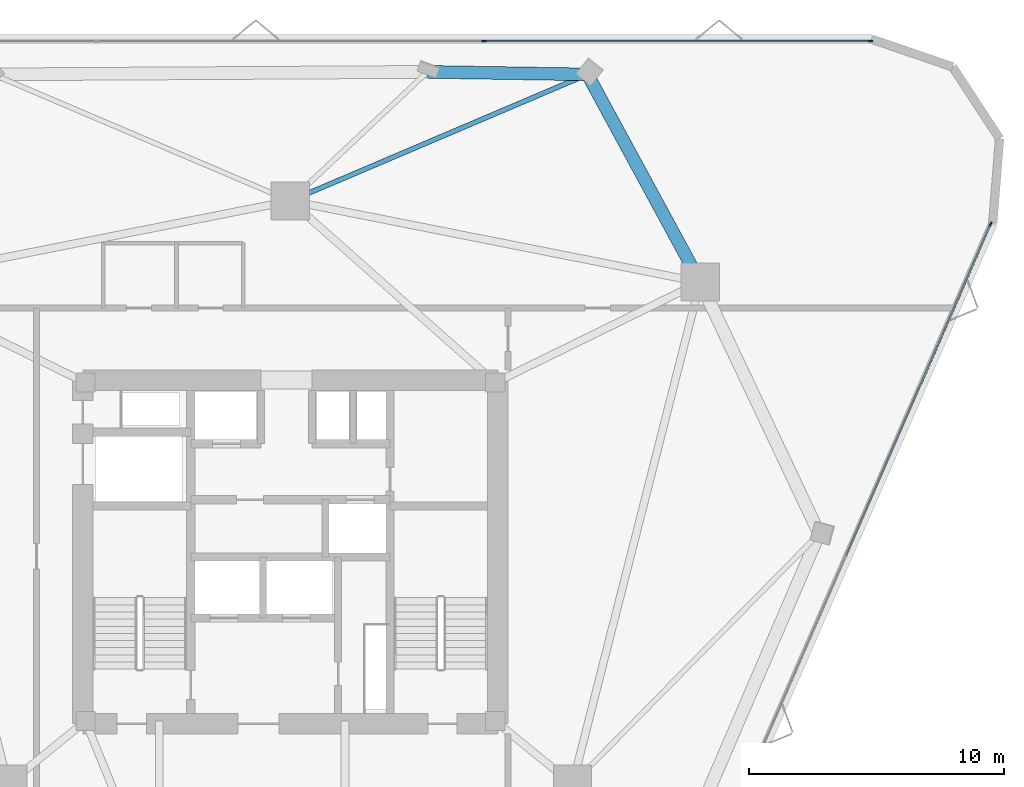
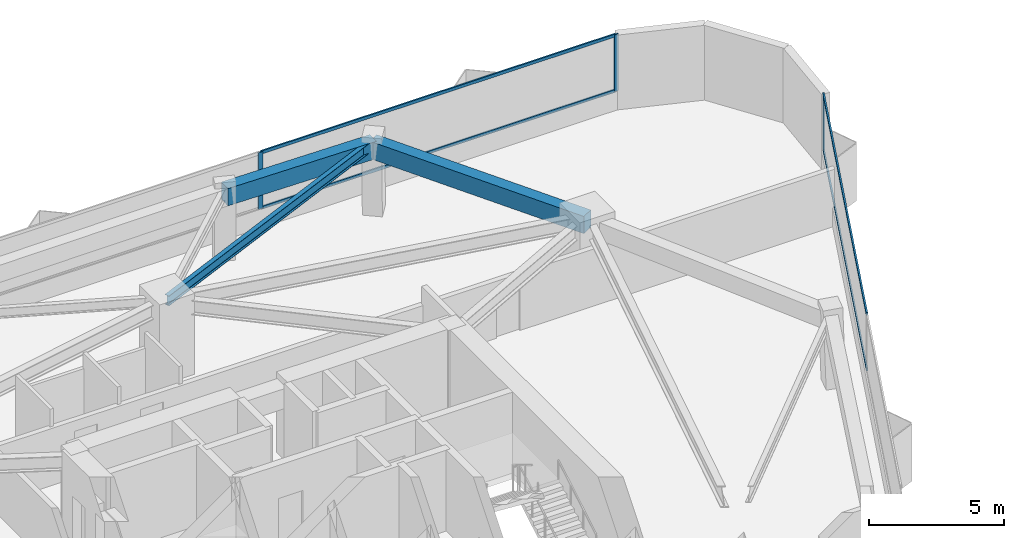
# One storey, part 7 of 11: 7 members, 3 beams, 2 elements without a shape of their own.
"""IFC4 building model written with IfcOpenShell, lengths in metres."""

import ifcopenshell
import ifcopenshell.guid

model = None  # the IFC model being written
_history = None  # IfcOwnerHistory: only IFC2X3 demands one
_inside = {}  # id of a spatial element -> (the spatial element, [elements in it])
_under = {}  # id of a project, library or spatial element -> (it, [spatial elements below it])
_declared = {}  # id of a project -> (the project, [libraries it declares])
_typed = {}  # id of a type object -> (the type object, [elements of that type])
_made_of = {}  # id of a material, layer set ... -> (it, [elements and type objects made of it])


def new_model(schema):
    """Start an empty IFC model of exactly this schema.

    Asked for "IFC4X3", IfcOpenShell would pick the latest addendum, in which some entities
    have other attributes; the version numbers below select the first issue.
    IFC2X3 requires an IfcOwnerHistory on every rooted entity: one is made here for all.
    """
    global model, _history
    if schema == "IFC4X3":
        model = ifcopenshell.file(schema_version=(4, 3, 0, 0))
    else:
        model = ifcopenshell.file(schema=schema)
    _inside.clear()
    _under.clear()
    _declared.clear()
    _typed.clear()
    _made_of.clear()
    _history = None
    if model.schema == "IFC2X3":
        org = make("IfcOrganization", Name="unknown")
        user = make(
            "IfcPersonAndOrganization",
            ThePerson=make("IfcPerson", FamilyName="unknown"),
            TheOrganization=org,
        )
        app = make(
            "IfcApplication",
            ApplicationDeveloper=org,
            Version="unknown",
            ApplicationFullName="unknown",
            ApplicationIdentifier="unknown",
        )
        _history = make(
            "IfcOwnerHistory",
            OwningUser=user,
            OwningApplication=app,
            ChangeAction="ADDED",
            CreationDate=0,
        )
    return model


def make(cls, **values):
    """One entity of the class cls with the attributes given. An attribute that is None is left unset."""
    return model.create_entity(
        cls, **{name: value for name, value in values.items() if value is not None}
    )


def rooted(cls, **values):
    """An entity with a GlobalId (a new one), such as an element, a storey or a relation."""
    return make(cls, GlobalId=ifcopenshell.guid.new(), OwnerHistory=_history, **values)


def si_unit(unit_type, name, prefix=None):
    """IfcSIUnit, for example si_unit("LENGTHUNIT", "METRE", prefix="MILLI")."""
    return make("IfcSIUnit", UnitType=unit_type, Prefix=prefix, Name=name)


def assignment(units):
    """IfcUnitAssignment: the units of a project."""
    return None if units is None else make("IfcUnitAssignment", Units=units)


def point(xyz):
    """IfcCartesianPoint."""
    return None if xyz is None else make("IfcCartesianPoint", Coordinates=xyz)


def direction(xyz):
    """IfcDirection."""
    return None if xyz is None else make("IfcDirection", DirectionRatios=xyz)


def frame(location, z_axis=None, x_axis=None):
    """IfcAxis2Placement3D, a coordinate frame: its origin and axes. An axis left out is left unset."""
    return make(
        "IfcAxis2Placement3D",
        Location=point(location),
        Axis=direction(z_axis),
        RefDirection=direction(x_axis),
    )


def frame_2d(location, x_axis=None):
    """IfcAxis2Placement2D, a coordinate frame in the plane: its origin and x axis."""
    return make(
        "IfcAxis2Placement2D", Location=point(location), RefDirection=direction(x_axis)
    )


def origin():
    """The frame at (0, 0, 0) with its axes left unset."""
    return frame((0.0, 0.0, 0.0))


def origin_2d():
    """The frame at (0, 0) in the plane with its x axis left unset."""
    return frame_2d((0.0, 0.0))


def place(relative_to, where):
    """IfcLocalPlacement: puts the frame where relative to a parent placement (None: the world)."""
    return make(
        "IfcLocalPlacement", PlacementRelTo=relative_to, RelativePlacement=where
    )


def context(
    kind, dimensions, precision=None, world=None, true_north=None, identifier=None
):
    """IfcGeometricRepresentationContext, for example the 3D "Model" context."""
    return make(
        "IfcGeometricRepresentationContext",
        ContextIdentifier=identifier,
        ContextType=kind,
        CoordinateSpaceDimension=dimensions,
        Precision=precision,
        WorldCoordinateSystem=world,
        TrueNorth=true_north,
    )


def subcontext(parent, identifier, kind, view, scale=None):
    """IfcGeometricRepresentationSubContext, for example "Body" below "Model"."""
    return make(
        "IfcGeometricRepresentationSubContext",
        ContextIdentifier=identifier,
        ContextType=kind,
        ParentContext=parent,
        TargetScale=scale,
        TargetView=view,
    )


def project(units=None, contexts=None):
    """IfcProject with its units and contexts."""
    return rooted(
        "IfcProject",
        Name="project",
        RepresentationContexts=contexts,
        UnitsInContext=assignment(units),
    )


def spatial(cls, under=None, at=None, **own):
    """A site, building, storey or space (cls), placed at a placement, below another one or the project."""
    s = rooted(cls, ObjectPlacement=at, **own)
    if under is not None:
        _under.setdefault(under.id(), (under, []))[1].append(s)
    return s


def profile(cls, at=None, kind="AREA", **sizes):
    """A parametric profile (cls). Its sizes go by their IFC names, for example OverallWidth=200.0."""
    return make(cls, ProfileType=kind, Position=at, **sizes)


def rectangle(**sizes):
    """IfcRectangleProfileDef."""
    return profile("IfcRectangleProfileDef", **sizes)


def i_section(**sizes):
    """IfcIShapeProfileDef."""
    return profile("IfcIShapeProfileDef", **sizes)


def extrude(swept, where, along, depth):
    """IfcExtrudedAreaSolid: the profile swept, set in the frame where, extruded along a direction by depth."""
    return make(
        "IfcExtrudedAreaSolid",
        SweptArea=swept,
        Position=where,
        ExtrudedDirection=direction(along),
        Depth=depth,
    )


def shape(context_of_items, identifier, shape_type, items):
    """IfcShapeRepresentation: the items that make up one representation, for example the "Body"."""
    return make(
        "IfcShapeRepresentation",
        ContextOfItems=context_of_items,
        RepresentationIdentifier=identifier,
        RepresentationType=shape_type,
        Items=items,
    )


def material(Name=None, Category=None):
    """IfcMaterial."""
    return make("IfcMaterial", Name=Name, Category=Category)


def layer(
    of_material, thickness, ventilated=None, Name=None, Category=None, Priority=None
):
    """IfcMaterialLayer: one layer of a wall or slab, of a material (None: an air gap)."""
    return make(
        "IfcMaterialLayer",
        Material=of_material,
        LayerThickness=thickness,
        IsVentilated=ventilated,
        Name=Name,
        Category=Category,
        Priority=Priority,
    )


def layer_set(layers, Name=None):
    """IfcMaterialLayerSet."""
    return make("IfcMaterialLayerSet", MaterialLayers=layers, LayerSetName=Name)


def material_profile(
    of_material, cross_section, Name=None, Category=None, Priority=None
):
    """IfcMaterialProfile: a cross section and its material."""
    return make(
        "IfcMaterialProfile",
        Name=Name,
        Material=of_material,
        Profile=cross_section,
        Priority=Priority,
        Category=Category,
    )


def profile_set(profiles, Name=None, composite=None):
    """IfcMaterialProfileSet."""
    return make(
        "IfcMaterialProfileSet",
        Name=Name,
        MaterialProfiles=profiles,
        CompositeProfile=composite,
    )


def made_of(thing, what):
    """Note that an element or type object is made of a material, layer set ...; save() writes the relation."""
    if what is not None:
        _made_of.setdefault(what.id(), (what, []))[1].append(thing)
    return thing


def type_object(cls, material=None, **own):
    """A type object (cls), such as IfcWallType, which elements share."""
    return made_of(rooted(cls, **own), material)


def element(
    cls,
    number,
    at=None,
    inside=None,
    cuts=None,
    type_object=None,
    material=None,
    context=None,
    identifier="Body",
    shape_type=None,
    held_by="IfcProductDefinitionShape",
    body=None,
    shapes=None,
    **own,
):
    """One element of the class cls, such as IfcWall. Its Tag is "e" and its number.

    at: its placement. inside: the storey or other place that contains it. cuts: it is an
    opening in that element (IfcRelVoidsElement). A single representation is given by context,
    identifier, shape_type and body (its items); several are given by shapes. held_by: the class
    of the entity that holds the representations. save() writes the other relations.
    """
    e = rooted(cls, Tag="e%d" % number, ObjectPlacement=at, **own)
    if body is not None:
        shapes = [shape(context, identifier, shape_type, body)]
    if shapes is not None:
        e.Representation = make(held_by, Representations=shapes)
    if inside is not None:
        _inside.setdefault(inside.id(), (inside, []))[1].append(e)
    if cuts is not None:
        rooted(
            "IfcRelVoidsElement", RelatingBuildingElement=cuts, RelatedOpeningElement=e
        )
    if type_object is not None:
        _typed.setdefault(type_object.id(), (type_object, []))[1].append(e)
    return made_of(e, material)


def aggregate(whole, parts):
    """IfcRelAggregates: a whole, such as a stair, and the parts it consists of."""
    return rooted("IfcRelAggregates", RelatingObject=whole, RelatedObjects=parts)


def save(model, path):
    """Write the relations noted so far, then the file.

    IfcRelAggregates (storeys below a building ...), IfcRelContainedInSpatialStructure (elements
    in a storey), IfcRelDefinesByType, IfcRelAssociatesMaterial and IfcRelDeclares: one each for
    every whole, place, type object, material and project.
    """
    for whole, parts in _under.values():
        aggregate(whole, parts)
    for where, things in _inside.values():
        rooted(
            "IfcRelContainedInSpatialStructure",
            RelatedElements=things,
            RelatingStructure=where,
        )
    for kind, things in _typed.values():
        rooted("IfcRelDefinesByType", RelatedObjects=things, RelatingType=kind)
    for what, things in _made_of.values():
        rooted("IfcRelAssociatesMaterial", RelatedObjects=things, RelatingMaterial=what)
    for by, libraries in _declared.values():
        rooted("IfcRelDeclares", RelatingContext=by, RelatedDefinitions=libraries)
    model.write(path)


model = new_model("IFC4")

# Units and contexts
model_context = context("Model", 3, precision=1e-05, world=origin(), true_north=direction((0.0, 1.0)))
body_context = subcontext(model_context, "Body", "Model", "MODEL_VIEW")
ifc_project = project(units=[si_unit("LENGTHUNIT", "METRE"), si_unit("AREAUNIT", "SQUARE_METRE"), si_unit("VOLUMEUNIT", "CUBIC_METRE"), si_unit("PLANEANGLEUNIT", "RADIAN"), si_unit("MASSUNIT", "GRAM", prefix="KILO")], contexts=[model_context])

# Site, building, storey
site_placement = place(None, origin())
site = spatial("IfcSite", under=ifc_project, at=site_placement, CompositionType="ELEMENT")
building_placement = place(site_placement, origin())
building = spatial("IfcBuilding", under=site, at=building_placement, Name="Talyreon Biosciences Tower", CompositionType="ELEMENT")
storey_placement = place(building_placement, frame((0.0, 0.0, 163.699951171875)))
storey = spatial("IfcBuildingStorey", under=building, at=storey_placement, Name="L43", CompositionType="ELEMENT", Elevation=163.699951171875)

# Curtain wall, members
ifc_material_1 = material(Name="Thermally broken aluminium and low-E glazing", Category="aluminium")
ifc_layer = layer(ifc_material_1, 0.18505859375)
ifc_layer_set = layer_set([ifc_layer], Name="Thermally broken aluminium and low-E glazing")
curtain_wall_type = type_object("IfcCurtainWallType", Name="CurtainWall_Zone3Bioprocess", PredefinedType="NOTDEFINED", material=ifc_layer_set)
curtain_wall_1_placement = place(storey_placement, origin())
curtain_wall_1 = element("IfcCurtainWall", 1, at=curtain_wall_1_placement, inside=storey, type_object=curtain_wall_type, Name="L43 Unitised Curtain Wall FCW-L43-04", PredefinedType="NOTDEFINED")
ifc_material_2 = material(Name="Anodised thermally broken aluminium", Category="aluminium")
ifc_material_profile_1 = material_profile(ifc_material_2, rectangle(XDim=0.06494140625, YDim=0.179931640625, at=origin_2d()), Name="ALUM MULLION 65x180")
ifc_profile_set_1 = profile_set([ifc_material_profile_1], Name="Anodised thermally broken aluminium")
member_type_1 = type_object("IfcMemberType", Name="CWMullion_65x180", PredefinedType="MULLION", material=ifc_profile_set_1)
member_1_placement = place(storey_placement, frame((73.60888671875, 88.072509765625, 0.81005859375), z_axis=(0.0, 0.0, 1.0), x_axis=(0.0, 1.0, 0.0)))
member_1 = element("IfcMember", 2, at=member_1_placement, type_object=member_type_1, Name="CW4 mullion 3", PredefinedType="MULLION", context=body_context, shape_type="SweptSolid", body=[
    extrude(rectangle(XDim=0.06494140625, YDim=0.179931640625, at=origin_2d()), origin(), (0.0, 0.0, 1.0), 2.56494140625),
])
member_2_placement = place(storey_placement, frame((88.79443359375, 88.072509765625, 0.81005859375), z_axis=(0.0, 0.0, 1.0), x_axis=(0.0, 1.0, 0.0)))
member_2 = element("IfcMember", 3, at=member_2_placement, type_object=member_type_1, Name="CW4 mullion 4", PredefinedType="MULLION", context=body_context, shape_type="SweptSolid", body=[
    extrude(rectangle(XDim=0.06494140625, YDim=0.179931640625, at=origin_2d()), origin(), (0.0, 0.0, 1.0), 2.56494140625),
])

# Curtain wall, member
curtain_wall_2_placement = place(storey_placement, origin())
curtain_wall_2 = element("IfcCurtainWall", 4, at=curtain_wall_2_placement, inside=storey, type_object=curtain_wall_type, Name="L43 Unitised Curtain Wall FCW-L43-08", PredefinedType="NOTDEFINED")
member_3_placement = place(storey_placement, frame((93.507568359375, 80.877197265625, 0.81005859375), z_axis=(0.0, 0.0, 1.0), x_axis=(0.916731187474, -0.399504605621, 0.0)))
member_3 = element("IfcMember", 5, at=member_3_placement, type_object=member_type_1, Name="CW4 mullion 1", PredefinedType="MULLION", context=body_context, shape_type="SweptSolid", body=[
    extrude(rectangle(XDim=0.06494140625, YDim=0.179931640625, at=origin_2d()), origin(), (0.0, 0.0, 1.0), 2.56494140625),
])

# Member
ifc_material_profile_2 = material_profile(ifc_material_2, rectangle(XDim=0.06494140625, YDim=0.139892578125, at=origin_2d()), Name="ALUM TRANSOM 65x140")
ifc_profile_set_2 = profile_set([ifc_material_profile_2], Name="Anodised thermally broken aluminium")
member_type_2 = type_object("IfcMemberType", Name="CWTransom_65x140", PredefinedType="USERDEFINED", material=ifc_profile_set_2)
member_4_placement = place(storey_placement, frame((73.641357421875, 88.072509765625, 0.842529296875), z_axis=(1.0, 0.0, 0.0), x_axis=(0.0, 1.0, 0.0)))
member_4 = element("IfcMember", 6, at=member_4_placement, type_object=member_type_2, Name="CW4 transom 3.1", ObjectType="TRANSOM", PredefinedType="USERDEFINED", context=body_context, shape_type="SweptSolid", body=[
    extrude(rectangle(XDim=0.06494140625, YDim=0.139892578125, at=origin_2d()), origin(), (0.0, 0.0, 1.0), 15.12060546875),
])

member_5_placement = place(storey_placement, frame((73.641357421875, 88.072509765625, 3.342529296875), z_axis=(1.0, 0.0, 0.0), x_axis=(0.0, 1.0, 0.0)))
member_5 = element("IfcMember", 7, at=member_5_placement, type_object=member_type_2, Name="CW4 transom 3.2", ObjectType="TRANSOM", PredefinedType="USERDEFINED", context=body_context, shape_type="SweptSolid", body=[
    extrude(rectangle(XDim=0.06494140625, YDim=0.139892578125, at=origin_2d()), origin(), (0.0, 0.0, 1.0), 15.12060546875),
])

aggregate(curtain_wall_1, [member_1, member_2, member_4, member_5])

member_6_placement = place(storey_placement, frame((93.49462890625, 80.847412109375, 0.842529296875), z_axis=(-0.399503101725, -0.916731842859, 0.0), x_axis=(0.916731842859, -0.399503101725, 0.0)))
member_6 = element("IfcMember", 8, at=member_6_placement, type_object=member_type_2, Name="CW4 transom 1.1", ObjectType="TRANSOM", PredefinedType="USERDEFINED", context=body_context, shape_type="SweptSolid", body=[
    extrude(rectangle(XDim=0.06494140625, YDim=0.139892578125, at=origin_2d()), origin(), (0.0, 0.0, 1.0), 14.18701171875),
])

member_7_placement = place(storey_placement, frame((93.49462890625, 80.847412109375, 3.342529296875), z_axis=(-0.399503101725, -0.916731842859, 0.0), x_axis=(0.916731842859, -0.399503101725, 0.0)))
member_7 = element("IfcMember", 9, at=member_7_placement, type_object=member_type_2, Name="CW4 transom 1.2", ObjectType="TRANSOM", PredefinedType="USERDEFINED", context=body_context, shape_type="SweptSolid", body=[
    extrude(rectangle(XDim=0.06494140625, YDim=0.139892578125, at=origin_2d()), origin(), (0.0, 0.0, 1.0), 14.18701171875),
])

aggregate(curtain_wall_2, [member_3, member_6, member_7])

# Beams
ifc_material_3 = material(Name="Precast concrete C45/55", Category="concrete")
ifc_material_profile_3 = material_profile(ifc_material_3, rectangle(XDim=0.5, YDim=0.780029296875, at=origin_2d()), Name="RCB 500x780")
ifc_profile_set_3 = profile_set([ifc_material_profile_3], Name="Precast concrete C45/55")
beam_type_1 = type_object("IfcBeamType", Name="ExpressedSpandrel_500x780", PredefinedType="SPANDREL", material=ifc_profile_set_3)
beam_1_placement = place(storey_placement, frame((82.102294921875, 78.5986328125, 2.985107421875), z_axis=(-0.476993781192, 0.878906668938, 0.0), x_axis=(-0.878906668938, -0.476993781192, 0.0)))
element("IfcBeam", 10, at=beam_1_placement, inside=storey, type_object=beam_type_1, Name="L43 Expressed Horizontal Concrete Spandrel 05", PredefinedType="SPANDREL", context=body_context, shape_type="SweptSolid", body=[
    extrude(rectangle(XDim=0.5, YDim=0.780029296875, at=origin_2d()), origin(), (0.0, 0.0, 1.0), 9.28369140625),
])
beam_2_placement = place(storey_placement, frame((77.674072265625, 86.758056640625, 2.985107421875), z_axis=(-0.999873861564, 0.015882725236, 0.0), x_axis=(-0.015882725236, -0.999873861564, 0.0)))
element("IfcBeam", 11, at=beam_2_placement, inside=storey, type_object=beam_type_1, Name="L43 Expressed Horizontal Concrete Spandrel 06", PredefinedType="SPANDREL", context=body_context, shape_type="SweptSolid", body=[
    extrude(rectangle(XDim=0.5, YDim=0.780029296875, at=origin_2d()), origin(), (0.0, 0.0, 1.0), 6.286865234375),
])
ifc_material_4 = material(Name="Steel SM355", Category="steel")
ifc_material_profile_4 = material_profile(ifc_material_4, i_section(OverallWidth=0.18994140625, OverallDepth=0.449951171875, WebThickness=0.009521484375, FlangeThickness=0.0146484375, FilletRadius=0.02099609375, at=origin_2d()), Name="IPE450")
ifc_profile_set_4 = profile_set([ifc_material_profile_4], Name="Steel SM355")
beam_type_2 = type_object("IfcBeamType", Name="SteelJoist_IPE450", PredefinedType="JOIST", material=ifc_profile_set_4)
beam_3_placement = place(storey_placement, frame((66.0, 81.788818359375, 3.150146484375), z_axis=(0.92011067264, 0.391658461027, 0.0), x_axis=(-0.391658461027, 0.92011067264, 0.0)))
element("IfcBeam", 12, at=beam_3_placement, inside=storey, type_object=beam_type_2, Name="L43 Radial Composite Floor Joist PC-N1", PredefinedType="JOIST", context=body_context, shape_type="SweptSolid", body=[
    extrude(i_section(OverallWidth=0.18994140625, OverallDepth=0.449951171875, WebThickness=0.009521484375, FlangeThickness=0.0146484375, FilletRadius=0.02099609375, at=origin_2d()), origin(), (0.0, 0.0, 1.0), 12.687744140625),
])

save(model, "model.ifc")
